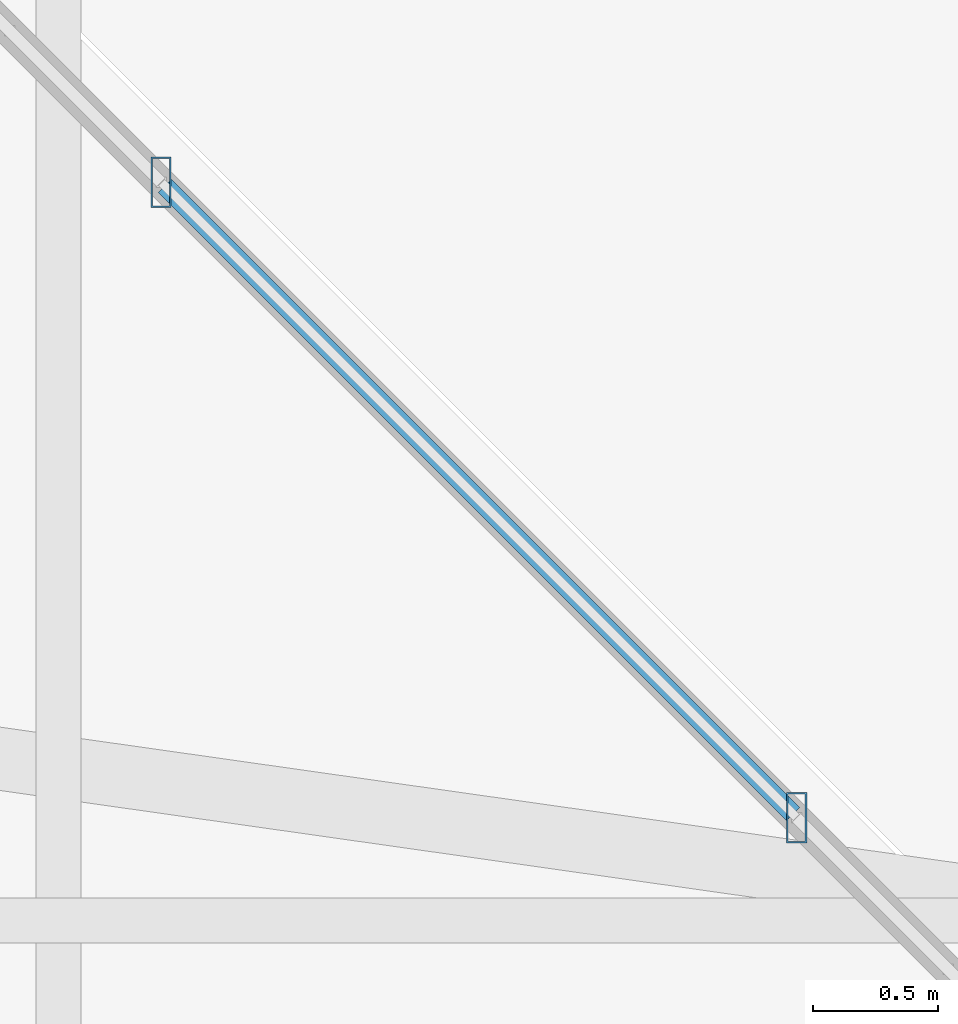
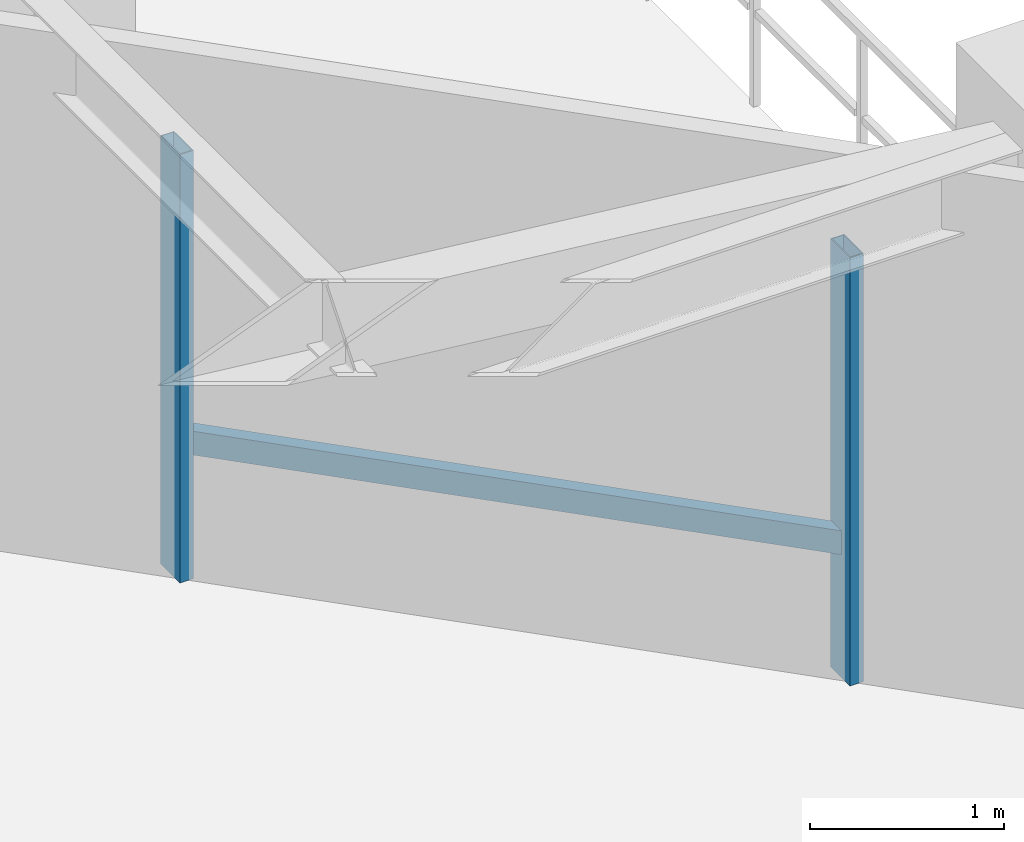
# One storey, part 9 of 31: 3 members, 1 element without a shape of its own.
"""IFC4 building model written with IfcOpenShell, lengths in metres."""

from ifc_helpers import new_model, si_unit, direction, frame, origin, origin_2d, place, context, subcontext, project, spatial, hollow_rectangle, extrude, material, material_profile, profile_set, type_object, element, aggregate, save


model = new_model("IFC4")

# Units and contexts
model_context = context("Model", 3, precision=1e-05, world=origin(), true_north=direction((0.0, 1.0)))
body_context = subcontext(model_context, "Body", "Model", "MODEL_VIEW")
ifc_project = project(units=[si_unit("LENGTHUNIT", "METRE"), si_unit("AREAUNIT", "SQUARE_METRE"), si_unit("VOLUMEUNIT", "CUBIC_METRE"), si_unit("PLANEANGLEUNIT", "RADIAN"), si_unit("MASSUNIT", "GRAM", prefix="KILO")], contexts=[model_context])

# Site, building, storey
site_placement = place(None, origin())
site = spatial("IfcSite", under=ifc_project, at=site_placement, CompositionType="ELEMENT")
building_placement = place(site_placement, origin())
building = spatial("IfcBuilding", under=site, at=building_placement, Name="Thornwick Lancets Civic Towers", CompositionType="ELEMENT")
storey_placement = place(building_placement, frame((0.0, 0.0, 119.699951171875)))
storey = spatial("IfcBuildingStorey", under=building, at=storey_placement, Name="L31", CompositionType="ELEMENT", Elevation=119.699951171875)

# Curtain wall, members
ifc_material_1 = material(Name="Mid-zone chamfered-corner unitised glass curtain wall", Category="glass")
curtain_wall_type = type_object("IfcCurtainWallType", Name="CW_SYS_04", PredefinedType="NOTDEFINED", material=ifc_material_1)
curtain_wall_placement = place(storey_placement, origin())
curtain_wall = element("IfcCurtainWall", 1, at=curtain_wall_placement, inside=storey, type_object=curtain_wall_type, Name="L31 Curtain Wall CW-L31-A-E3", PredefinedType="NOTDEFINED")
ifc_material_2 = material(Name="Thermally broken bronze aluminium S355", Category="steel")
ifc_material_profile_1 = material_profile(ifc_material_2, hollow_rectangle(XDim=0.080078125, YDim=0.199951171875, WallThickness=0.006103515625, at=origin_2d()), Name="RHS 200x80x6")
ifc_profile_set_1 = profile_set([ifc_material_profile_1], Name="Thermally broken bronze aluminium S355")
member_type_1 = type_object("IfcMemberType", Name="CW_MUL_200", PredefinedType="MULLION", material=ifc_profile_set_1)
member_1_placement = place(storey_placement, frame((41.440673828125, 40.408447265625, 0.0), z_axis=(0.0, 0.0, 1.0), x_axis=(1.0, 0.0, 0.0)))
member_1 = element("IfcMember", 2, at=member_1_placement, type_object=member_type_1, Name="CW-L31-A-E3 Mullion 0", PredefinedType="MULLION", context=body_context, shape_type="SweptSolid", body=[
    extrude(hollow_rectangle(XDim=0.080078125, YDim=0.199951171875, WallThickness=0.006103515625, at=origin_2d()), origin(), (0.0, 0.0, 1.0), 2.699951171875),
])
member_2_placement = place(storey_placement, frame((38.908447265625, 42.940673828125, 0.0), z_axis=(0.0, 0.0, 1.0), x_axis=(1.0, 0.0, 0.0)))
member_2 = element("IfcMember", 3, at=member_2_placement, type_object=member_type_1, Name="CW-L31-A-E3 Mullion 1", PredefinedType="MULLION", context=body_context, shape_type="SweptSolid", body=[
    extrude(hollow_rectangle(XDim=0.080078125, YDim=0.199951171875, WallThickness=0.006103515625, at=origin_2d()), origin(), (0.0, 0.0, 1.0), 2.699951171875),
])
ifc_material_profile_2 = material_profile(ifc_material_2, hollow_rectangle(XDim=0.074951171875, YDim=0.14990234375, WallThickness=0.0048828125, at=origin_2d()), Name="RHS 150x75x5")
ifc_profile_set_2 = profile_set([ifc_material_profile_2], Name="Thermally broken bronze aluminium S355")
member_type_2 = type_object("IfcMemberType", Name="CW_TRN_150", PredefinedType="USERDEFINED", material=ifc_profile_set_2)
member_3_placement = place(storey_placement, frame((41.426513671875, 40.422607421875, 0.85009765625), z_axis=(-0.707106781187, 0.707106781187, 0.0), x_axis=(-0.707106781187, -0.707106781187, 0.0)))
member_3 = element("IfcMember", 4, at=member_3_placement, type_object=member_type_2, Name="CW-L31-A-E3 Transom 0", ObjectType="TRANSOM", PredefinedType="USERDEFINED", context=body_context, shape_type="SweptSolid", body=[
    extrude(hollow_rectangle(XDim=0.074951171875, YDim=0.14990234375, WallThickness=0.0048828125, at=origin_2d()), origin(), (0.0, 0.0, 1.0), 3.541015625),
])
aggregate(curtain_wall, [member_1, member_2, member_3])

save(model, "model.ifc")
